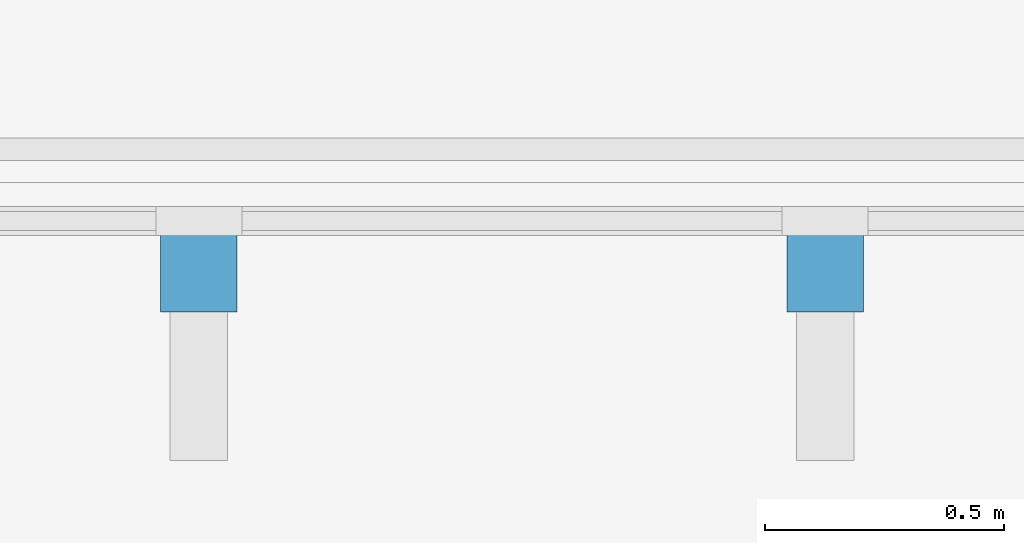
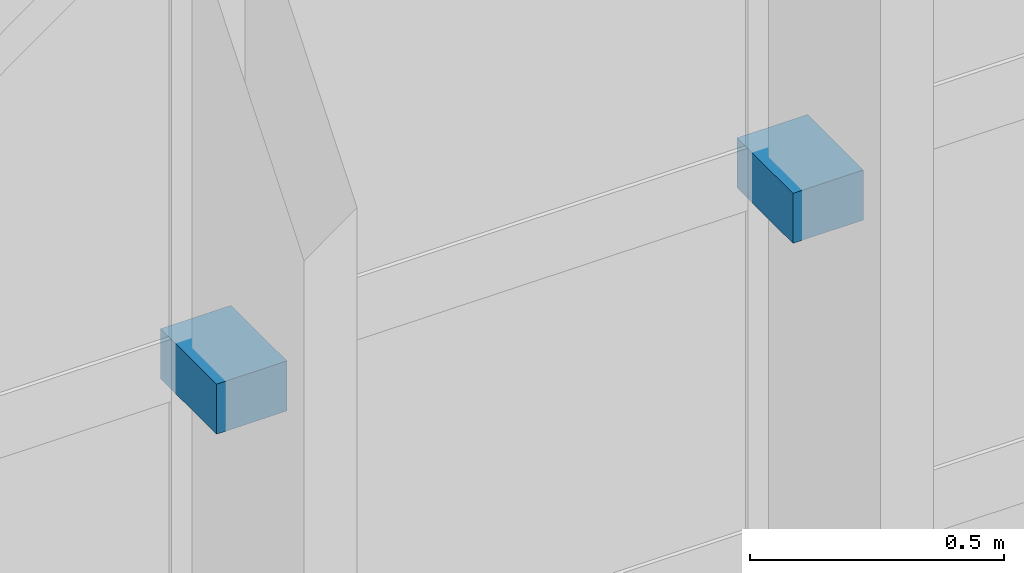
# One storey, part 26 of 35: 2 discrete accessories.
"""IFC4 building model written with IfcOpenShell, lengths in metres."""

from ifc_helpers import new_model, si_unit, direction, frame, origin, origin_2d, place, context, subcontext, project, spatial, rectangle, extrude, material, type_object, element, save


model = new_model("IFC4")

# Units and contexts
model_context = context("Model", 3, precision=1e-05, world=origin(), true_north=direction((0.0, 1.0)))
body_context = subcontext(model_context, "Body", "Model", "MODEL_VIEW")
ifc_project = project(units=[si_unit("LENGTHUNIT", "METRE"), si_unit("AREAUNIT", "SQUARE_METRE"), si_unit("VOLUMEUNIT", "CUBIC_METRE"), si_unit("PLANEANGLEUNIT", "RADIAN"), si_unit("MASSUNIT", "GRAM", prefix="KILO")], contexts=[model_context])

# Site, building, storey
site_placement = place(None, origin())
site = spatial("IfcSite", under=ifc_project, at=site_placement, CompositionType="ELEMENT")
building_placement = place(site_placement, origin())
building = spatial("IfcBuilding", under=site, at=building_placement, Name="Tizgana Railside Sports Hall", CompositionType="ELEMENT")
storey_placement = place(building_placement, frame((0.0, 0.0, 15.89990234375)))
storey = spatial("IfcBuildingStorey", under=building, at=storey_placement, Name="L03", CompositionType="ELEMENT", Elevation=15.89990234375)

# Discrete accessories
ifc_material = material(Name="Steel S355J2", Category="steel")
discrete_accessory_type = type_object("IfcDiscreteAccessoryType", Name="Stainless Facade Support Bracket", PredefinedType="BRACKET", material=ifc_material)
for number, where, z_axis, x_axis, name in (
    (1, (69.896728515625, -0.080078125, 1.760009765625), (0.0, 0.0, 1.0), (-1.0, 0.0, 0.0), "L03 Fin Bracket"),
    (2, (68.58837890625, -0.080078125, 1.760009765625), (0.0, 0.0, 1.0), (-1.0, 0.0, 0.0), "L03 Fin Bracket"),
):
    element("IfcDiscreteAccessory", number, at=place(storey_placement, frame(where, z_axis=z_axis, x_axis=x_axis)), inside=storey, type_object=discrete_accessory_type, Name=name, PredefinedType="BRACKET", context=body_context, shape_type="SweptSolid", body=[
        extrude(rectangle(XDim=0.159912109375, YDim=0.219970703125, at=origin_2d()), origin(), (0.0, 0.0, 1.0), 0.1201171875),
    ])

save(model, "model.ifc")
